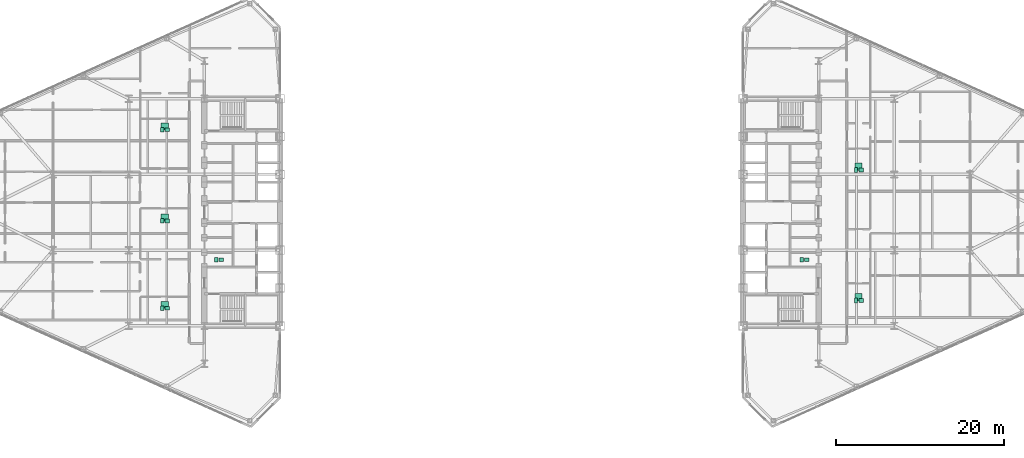
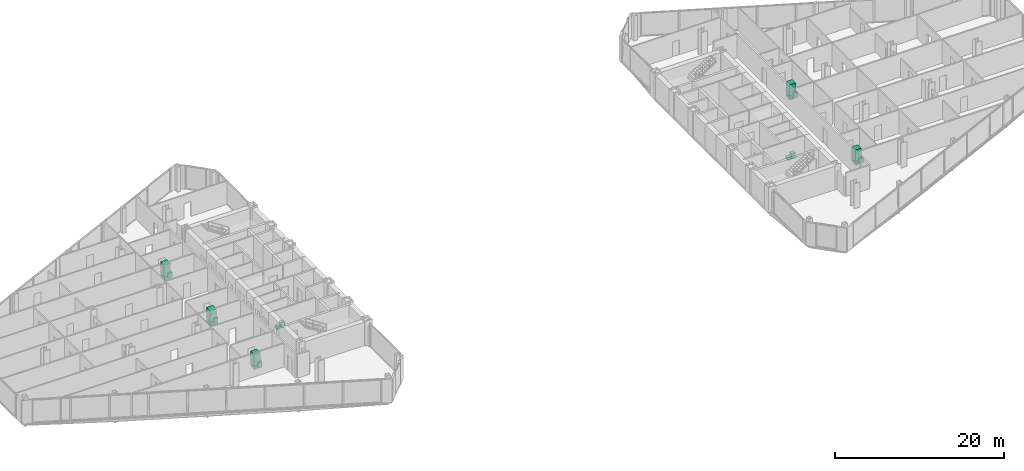
# One storey, part 27 of 27: 19 sanitary terminals.
"""IFC4 building model written with IfcOpenShell, lengths in metres."""

import ifcopenshell
import ifcopenshell.guid

model = None  # the IFC model being written
_history = None  # IfcOwnerHistory: only IFC2X3 demands one
_inside = {}  # id of a spatial element -> (the spatial element, [elements in it])
_under = {}  # id of a project, library or spatial element -> (it, [spatial elements below it])
_declared = {}  # id of a project -> (the project, [libraries it declares])
_typed = {}  # id of a type object -> (the type object, [elements of that type])
_made_of = {}  # id of a material, layer set ... -> (it, [elements and type objects made of it])


def new_model(schema):
    """Start an empty IFC model of exactly this schema.

    Asked for "IFC4X3", IfcOpenShell would pick the latest addendum, in which some entities
    have other attributes; the version numbers below select the first issue.
    IFC2X3 requires an IfcOwnerHistory on every rooted entity: one is made here for all.
    """
    global model, _history
    if schema == "IFC4X3":
        model = ifcopenshell.file(schema_version=(4, 3, 0, 0))
    else:
        model = ifcopenshell.file(schema=schema)
    _inside.clear()
    _under.clear()
    _declared.clear()
    _typed.clear()
    _made_of.clear()
    _history = None
    if model.schema == "IFC2X3":
        org = make("IfcOrganization", Name="unknown")
        user = make(
            "IfcPersonAndOrganization",
            ThePerson=make("IfcPerson", FamilyName="unknown"),
            TheOrganization=org,
        )
        app = make(
            "IfcApplication",
            ApplicationDeveloper=org,
            Version="unknown",
            ApplicationFullName="unknown",
            ApplicationIdentifier="unknown",
        )
        _history = make(
            "IfcOwnerHistory",
            OwningUser=user,
            OwningApplication=app,
            ChangeAction="ADDED",
            CreationDate=0,
        )
    return model


def make(cls, **values):
    """One entity of the class cls with the attributes given. An attribute that is None is left unset."""
    return model.create_entity(
        cls, **{name: value for name, value in values.items() if value is not None}
    )


def rooted(cls, **values):
    """An entity with a GlobalId (a new one), such as an element, a storey or a relation."""
    return make(cls, GlobalId=ifcopenshell.guid.new(), OwnerHistory=_history, **values)


def si_unit(unit_type, name, prefix=None):
    """IfcSIUnit, for example si_unit("LENGTHUNIT", "METRE", prefix="MILLI")."""
    return make("IfcSIUnit", UnitType=unit_type, Prefix=prefix, Name=name)


def assignment(units):
    """IfcUnitAssignment: the units of a project."""
    return None if units is None else make("IfcUnitAssignment", Units=units)


def point(xyz):
    """IfcCartesianPoint."""
    return None if xyz is None else make("IfcCartesianPoint", Coordinates=xyz)


def direction(xyz):
    """IfcDirection."""
    return None if xyz is None else make("IfcDirection", DirectionRatios=xyz)


def frame(location, z_axis=None, x_axis=None):
    """IfcAxis2Placement3D, a coordinate frame: its origin and axes. An axis left out is left unset."""
    return make(
        "IfcAxis2Placement3D",
        Location=point(location),
        Axis=direction(z_axis),
        RefDirection=direction(x_axis),
    )


def frame_2d(location, x_axis=None):
    """IfcAxis2Placement2D, a coordinate frame in the plane: its origin and x axis."""
    return make(
        "IfcAxis2Placement2D", Location=point(location), RefDirection=direction(x_axis)
    )


def origin():
    """The frame at (0, 0, 0) with its axes left unset."""
    return frame((0.0, 0.0, 0.0))


def origin_2d():
    """The frame at (0, 0) in the plane with its x axis left unset."""
    return frame_2d((0.0, 0.0))


def place(relative_to, where):
    """IfcLocalPlacement: puts the frame where relative to a parent placement (None: the world)."""
    return make(
        "IfcLocalPlacement", PlacementRelTo=relative_to, RelativePlacement=where
    )


def context(
    kind, dimensions, precision=None, world=None, true_north=None, identifier=None
):
    """IfcGeometricRepresentationContext, for example the 3D "Model" context."""
    return make(
        "IfcGeometricRepresentationContext",
        ContextIdentifier=identifier,
        ContextType=kind,
        CoordinateSpaceDimension=dimensions,
        Precision=precision,
        WorldCoordinateSystem=world,
        TrueNorth=true_north,
    )


def subcontext(parent, identifier, kind, view, scale=None):
    """IfcGeometricRepresentationSubContext, for example "Body" below "Model"."""
    return make(
        "IfcGeometricRepresentationSubContext",
        ContextIdentifier=identifier,
        ContextType=kind,
        ParentContext=parent,
        TargetScale=scale,
        TargetView=view,
    )


def project(units=None, contexts=None):
    """IfcProject with its units and contexts."""
    return rooted(
        "IfcProject",
        Name="project",
        RepresentationContexts=contexts,
        UnitsInContext=assignment(units),
    )


def spatial(cls, under=None, at=None, **own):
    """A site, building, storey or space (cls), placed at a placement, below another one or the project."""
    s = rooted(cls, ObjectPlacement=at, **own)
    if under is not None:
        _under.setdefault(under.id(), (under, []))[1].append(s)
    return s


def profile(cls, at=None, kind="AREA", **sizes):
    """A parametric profile (cls). Its sizes go by their IFC names, for example OverallWidth=200.0."""
    return make(cls, ProfileType=kind, Position=at, **sizes)


def rectangle(**sizes):
    """IfcRectangleProfileDef."""
    return profile("IfcRectangleProfileDef", **sizes)


def extrude(swept, where, along, depth):
    """IfcExtrudedAreaSolid: the profile swept, set in the frame where, extruded along a direction by depth."""
    return make(
        "IfcExtrudedAreaSolid",
        SweptArea=swept,
        Position=where,
        ExtrudedDirection=direction(along),
        Depth=depth,
    )


def shape(context_of_items, identifier, shape_type, items):
    """IfcShapeRepresentation: the items that make up one representation, for example the "Body"."""
    return make(
        "IfcShapeRepresentation",
        ContextOfItems=context_of_items,
        RepresentationIdentifier=identifier,
        RepresentationType=shape_type,
        Items=items,
    )


def source(mapping_origin, context_of_items, identifier, shape_type, items):
    """IfcRepresentationMap: a shape defined once, which mapped items show again and again."""
    return make(
        "IfcRepresentationMap",
        MappingOrigin=mapping_origin,
        MappedRepresentation=shape(context_of_items, identifier, shape_type, items),
    )


def transform(
    local_origin,
    x_axis=None,
    y_axis=None,
    z_axis=None,
    scale=None,
    scale2=None,
    scale3=None,
    uniform=True,
):
    """IfcCartesianTransformationOperator3D, or its non-uniform kind. x_axis, y_axis, z_axis: its Axis1, 2, 3."""
    if uniform:
        return make(
            "IfcCartesianTransformationOperator3D",
            Axis1=direction(x_axis),
            Axis2=direction(y_axis),
            LocalOrigin=point(local_origin),
            Scale=scale,
            Axis3=direction(z_axis),
        )
    return make(
        "IfcCartesianTransformationOperator3DnonUniform",
        Axis1=direction(x_axis),
        Axis2=direction(y_axis),
        LocalOrigin=point(local_origin),
        Scale=scale,
        Axis3=direction(z_axis),
        Scale2=scale2,
        Scale3=scale3,
    )


def mapped(mapping_source, mapping_target):
    """IfcMappedItem: shows the shape of a source again, moved by a transform."""
    return make(
        "IfcMappedItem", MappingSource=mapping_source, MappingTarget=mapping_target
    )


def material(Name=None, Category=None):
    """IfcMaterial."""
    return make("IfcMaterial", Name=Name, Category=Category)


def made_of(thing, what):
    """Note that an element or type object is made of a material, layer set ...; save() writes the relation."""
    if what is not None:
        _made_of.setdefault(what.id(), (what, []))[1].append(thing)
    return thing


def type_object(cls, material=None, **own):
    """A type object (cls), such as IfcWallType, which elements share."""
    return made_of(rooted(cls, **own), material)


def type_shapes(of_type, sources):
    """Give a type object the sources (RepresentationMaps) that its elements show as mapped items."""
    of_type.RepresentationMaps = sources


def element(
    cls,
    number,
    at=None,
    inside=None,
    cuts=None,
    type_object=None,
    material=None,
    context=None,
    identifier="Body",
    shape_type=None,
    held_by="IfcProductDefinitionShape",
    body=None,
    shapes=None,
    **own,
):
    """One element of the class cls, such as IfcWall. Its Tag is "e" and its number.

    at: its placement. inside: the storey or other place that contains it. cuts: it is an
    opening in that element (IfcRelVoidsElement). A single representation is given by context,
    identifier, shape_type and body (its items); several are given by shapes. held_by: the class
    of the entity that holds the representations. save() writes the other relations.
    """
    e = rooted(cls, Tag="e%d" % number, ObjectPlacement=at, **own)
    if body is not None:
        shapes = [shape(context, identifier, shape_type, body)]
    if shapes is not None:
        e.Representation = make(held_by, Representations=shapes)
    if inside is not None:
        _inside.setdefault(inside.id(), (inside, []))[1].append(e)
    if cuts is not None:
        rooted(
            "IfcRelVoidsElement", RelatingBuildingElement=cuts, RelatedOpeningElement=e
        )
    if type_object is not None:
        _typed.setdefault(type_object.id(), (type_object, []))[1].append(e)
    return made_of(e, material)


def aggregate(whole, parts):
    """IfcRelAggregates: a whole, such as a stair, and the parts it consists of."""
    return rooted("IfcRelAggregates", RelatingObject=whole, RelatedObjects=parts)


def save(model, path):
    """Write the relations noted so far, then the file.

    IfcRelAggregates (storeys below a building ...), IfcRelContainedInSpatialStructure (elements
    in a storey), IfcRelDefinesByType, IfcRelAssociatesMaterial and IfcRelDeclares: one each for
    every whole, place, type object, material and project.
    """
    for whole, parts in _under.values():
        aggregate(whole, parts)
    for where, things in _inside.values():
        rooted(
            "IfcRelContainedInSpatialStructure",
            RelatedElements=things,
            RelatingStructure=where,
        )
    for kind, things in _typed.values():
        rooted("IfcRelDefinesByType", RelatedObjects=things, RelatingType=kind)
    for what, things in _made_of.values():
        rooted("IfcRelAssociatesMaterial", RelatedObjects=things, RelatingMaterial=what)
    for by, libraries in _declared.values():
        rooted("IfcRelDeclares", RelatingContext=by, RelatedDefinitions=libraries)
    model.write(path)


model = new_model("IFC4")

# Units and contexts
model_context = context("Model", 3, precision=1e-05, world=origin(), true_north=direction((0.0, 1.0)))
body_context = subcontext(model_context, "Body", "Model", "MODEL_VIEW")
ifc_project = project(units=[si_unit("LENGTHUNIT", "METRE"), si_unit("AREAUNIT", "SQUARE_METRE"), si_unit("VOLUMEUNIT", "CUBIC_METRE"), si_unit("PLANEANGLEUNIT", "RADIAN"), si_unit("MASSUNIT", "GRAM", prefix="KILO")], contexts=[model_context])

# Site, building, storey
site_placement = place(None, origin())
site = spatial("IfcSite", under=ifc_project, at=site_placement, CompositionType="ELEMENT")
building_placement = place(site_placement, origin())
building = spatial("IfcBuilding", under=site, at=building_placement, Name="Seokmaru Belvedere", CompositionType="ELEMENT")
storey_placement = place(building_placement, frame((0.0, 0.0, 99.60009765625)))
storey = spatial("IfcBuildingStorey", under=building, at=storey_placement, Name="L26", CompositionType="ELEMENT", Elevation=99.60009765625)

# Sanitary terminals
ifc_material_1 = material(Name="Vitreous China Sanitaryware")
sanitary_terminal_type_1 = type_object("IfcSanitaryTerminalType", Name="Wall-Hung Vitreous China WC Pan", PredefinedType="TOILETPAN", material=ifc_material_1)
shared_shape_1 = source(origin(), body_context, "Body", "SweptSolid", [
    extrude(rectangle(XDim=0.3798828125, YDim=0.56005859375, at=origin_2d()), origin(), (0.0, 0.0, 1.0), 0.419921875),
])
type_shapes(sanitary_terminal_type_1, [shared_shape_1])
for number, where, z_axis, x_axis, name in (
    (1, (-35.10009765625, -5.625, 0.0), (0.0, 0.0, 1.0), (1.0, 0.0, 0.0), "L26 Vitreous China WC 0145"),
    (2, (34.5, -5.625, 0.0), (0.0, 0.0, 1.0), (1.0, 0.0, 0.0), "L26 Vitreous China WC 0146"),
    (3, (-41.52490234375, -11.410888671875, 0.0), (0.0, 0.0, 1.0), (1.0, 0.0, 0.0), "L26 Vitreous China WC 0147"),
    (4, (-41.52490234375, -1.01611328125, 0.0), (0.0, 0.0, 1.0), (1.0, 0.0, 0.0), "L26 Vitreous China WC 0148"),
    (5, (-41.52490234375, 9.822021484375, 0.0), (0.0, 0.0, 1.0), (1.0, 0.0, 0.0), "L26 Vitreous China WC 0149"),
    (6, (40.949951171875, -10.47607421875, 0.0), (0.0, 0.0, 1.0), (1.0, 0.0, 0.0), "L26 Vitreous China WC 0150"),
    (7, (40.949951171875, 5.0390625, 0.0), (0.0, 0.0, 1.0), (1.0, 0.0, 0.0), "L26 Vitreous China WC 0151"),
):
    element("IfcSanitaryTerminal", number, at=place(storey_placement, frame(where, z_axis=z_axis, x_axis=x_axis)), inside=storey, type_object=sanitary_terminal_type_1, Name=name, PredefinedType="TOILETPAN", context=body_context, shape_type="MappedRepresentation", body=[
        mapped(shared_shape_1, transform((0.0, 0.0, 0.0), scale=1.0)),
    ])
sanitary_terminal_type_2 = type_object("IfcSanitaryTerminalType", Name="Countertop Ceramic Washhand Basin", PredefinedType="WASHHANDBASIN", material=ifc_material_1)
shared_shape_2 = source(origin(), body_context, "Body", "SweptSolid", [
    extrude(rectangle(XDim=0.550048828125, YDim=0.449951171875, at=origin_2d()), origin(), (0.0, 0.0, 1.0), 0.820068359375),
])
type_shapes(sanitary_terminal_type_2, [shared_shape_2])
for number, where, z_axis, x_axis, name in (
    (8, (-34.5, -5.625, 0.0), (0.0, 0.0, 1.0), (1.0, 0.0, 0.0), "L26 Ceramic Washhand Basin 0145"),
    (9, (35.10009765625, -5.625, 0.0), (0.0, 0.0, 1.0), (1.0, 0.0, 0.0), "L26 Ceramic Washhand Basin 0146"),
    (10, (-40.925048828125, -11.410888671875, 0.0), (0.0, 0.0, 1.0), (1.0, 0.0, 0.0), "L26 Ceramic Washhand Basin 0147"),
    (11, (-40.925048828125, -1.01611328125, 0.0), (0.0, 0.0, 1.0), (1.0, 0.0, 0.0), "L26 Ceramic Washhand Basin 0148"),
    (12, (-40.925048828125, 9.822021484375, 0.0), (0.0, 0.0, 1.0), (1.0, 0.0, 0.0), "L26 Ceramic Washhand Basin 0149"),
    (13, (41.550048828125, -10.47607421875, 0.0), (0.0, 0.0, 1.0), (1.0, 0.0, 0.0), "L26 Ceramic Washhand Basin 0150"),
    (14, (41.550048828125, 5.0390625, 0.0), (0.0, 0.0, 1.0), (1.0, 0.0, 0.0), "L26 Ceramic Washhand Basin 0151"),
):
    element("IfcSanitaryTerminal", number, at=place(storey_placement, frame(where, z_axis=z_axis, x_axis=x_axis)), inside=storey, type_object=sanitary_terminal_type_2, Name=name, PredefinedType="WASHHANDBASIN", context=body_context, shape_type="MappedRepresentation", body=[
        mapped(shared_shape_2, transform((0.0, 0.0, 0.0), scale=1.0)),
    ])
ifc_material_2 = material(Name="Stainless Steel 316", Category="steel")
sanitary_terminal_type_3 = type_object("IfcSanitaryTerminalType", Name="Walk-In Thermostatic Rain Shower Enclosure", PredefinedType="SHOWER", material=ifc_material_2)
shared_shape_3 = source(origin(), body_context, "Body", "SweptSolid", [
    extrude(rectangle(XDim=0.85009765625, YDim=0.85009765625, at=origin_2d()), origin(), (0.0, 0.0, 1.0), 2.050048828125),
])
type_shapes(sanitary_terminal_type_3, [shared_shape_3])
for number, where, z_axis, x_axis, name in (
    (15, (-41.22509765625, -11.030029296875, 0.0), (0.0, 0.0, 1.0), (1.0, 0.0, 0.0), "L26 Walk-In Shower 0147"),
    (16, (-41.22509765625, -0.635986328125, 0.0), (0.0, 0.0, 1.0), (1.0, 0.0, 0.0), "L26 Walk-In Shower 0148"),
    (17, (-41.22509765625, 10.202880859375, 0.0), (0.0, 0.0, 1.0), (1.0, 0.0, 0.0), "L26 Walk-In Shower 0149"),
    (18, (41.25, -10.095947265625, 0.0), (0.0, 0.0, 1.0), (1.0, 0.0, 0.0), "L26 Walk-In Shower 0150"),
    (19, (41.25, 5.4189453125, 0.0), (0.0, 0.0, 1.0), (1.0, 0.0, 0.0), "L26 Walk-In Shower 0151"),
):
    element("IfcSanitaryTerminal", number, at=place(storey_placement, frame(where, z_axis=z_axis, x_axis=x_axis)), inside=storey, type_object=sanitary_terminal_type_3, Name=name, PredefinedType="SHOWER", context=body_context, shape_type="MappedRepresentation", body=[
        mapped(shared_shape_3, transform((0.0, 0.0, 0.0), scale=1.0)),
    ])

save(model, "model.ifc")
